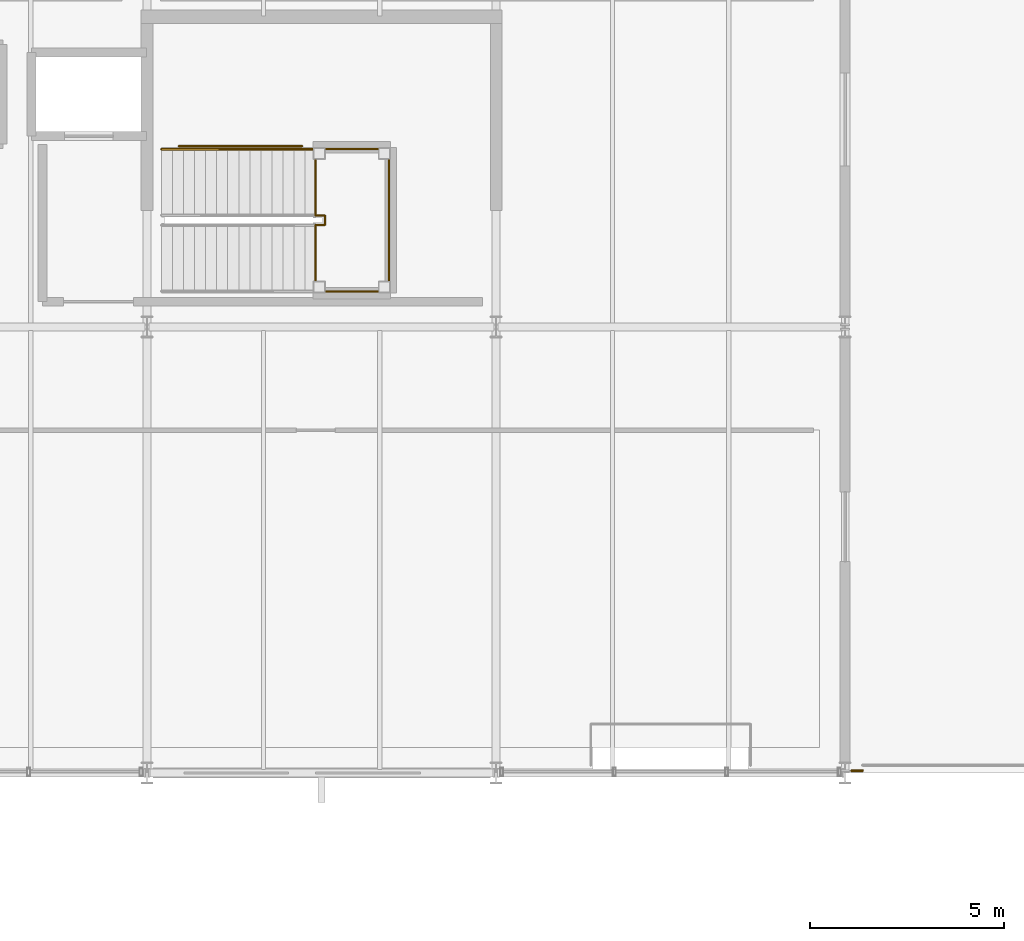
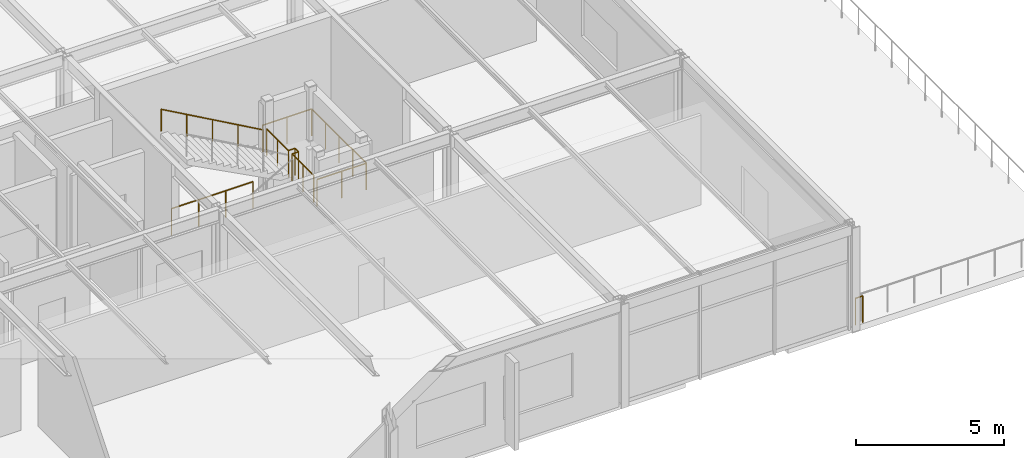
# One storey, part 42 of 44: 5 railings.
"""IFC4 building model written with IfcOpenShell, lengths in metres."""

from ifc_helpers import new_model, si_unit, direction, frame, origin, origin_2d, place, context, subcontext, project, spatial, circle, extrude, material, type_object, element, save


model = new_model("IFC4")

# Units and contexts
model_context = context("Model", 3, precision=1e-05, world=origin(), true_north=direction((0.0, 1.0)))
body_context = subcontext(model_context, "Body", "Model", "MODEL_VIEW")
ifc_project = project(units=[si_unit("LENGTHUNIT", "METRE"), si_unit("AREAUNIT", "SQUARE_METRE"), si_unit("VOLUMEUNIT", "CUBIC_METRE"), si_unit("PLANEANGLEUNIT", "RADIAN"), si_unit("MASSUNIT", "GRAM", prefix="KILO")], contexts=[model_context])

# Site, building, storey
site_placement = place(None, origin())
site = spatial("IfcSite", under=ifc_project, at=site_placement, CompositionType="ELEMENT")
building_placement = place(site_placement, origin())
building = spatial("IfcBuilding", under=site, at=building_placement, Name="Marlcrest Central Station", CompositionType="ELEMENT")
storey_placement = place(building_placement, frame((0.0, 0.0, 19.5)))
storey = spatial("IfcBuildingStorey", under=building, at=storey_placement, Name="L04", CompositionType="ELEMENT", Elevation=19.5)

# Railings
ifc_material_1 = material(Name="Galvanized painted steel balustrade", Category="steel")
railing_type_1 = type_object("IfcRailingType", Name="GR-01", PredefinedType="GUARDRAIL", material=ifc_material_1)
railing_1_placement = place(storey_placement, frame((63.449951171875, 99.06005859375, 0.0)))
element("IfcRailing", 1, at=railing_1_placement, inside=storey, type_object=railing_type_1, Name="hr-L04-00328", PredefinedType="GUARDRAIL", context=body_context, shape_type="SweptSolid", body=[
    extrude(circle(Radius=0.02392578125, at=origin_2d()), frame((0.0, 0.0, 1.09619140625), z_axis=(-1.0, 0.0, 0.0), x_axis=(0.0, -1.0, 0.0)), (0.0, 0.0, 1.0), 0.286865234375),
    extrude(circle(Radius=0.02099609375, at=origin_2d()), origin(), (0.0, 0.0, 1.0), 1.072021484375),
    extrude(circle(Radius=0.02099609375, at=origin_2d()), frame((-0.286865234375, 0.0, 0.0)), (0.0, 0.0, 1.0), 1.072021484375),
])
ifc_material_2 = material(Name="Stainless steel and laminated glass concourse balustrade", Category="steel")
railing_type_2 = type_object("IfcRailingType", Name="GR-02", PredefinedType="BALUSTRADE", material=ifc_material_2)
railing_2_placement = place(storey_placement, frame((49.320068359375, 111.409912109375, 2.25)))
element("IfcRailing", 2, at=railing_2_placement, inside=storey, type_object=railing_type_2, Name="hr-L04-00285", PredefinedType="BALUSTRADE", context=body_context, shape_type="SweptSolid", body=[
    extrude(circle(Radius=0.02392578125, at=origin_2d()), frame((0.0, 0.0, 1.09619140625), z_axis=(1.0, 0.0, 0.0), x_axis=(0.0, 1.0, 0.0)), (0.0, 0.0, 1.0), 1.919921875),
    extrude(circle(Radius=0.02392578125, at=origin_2d()), frame((1.919921875, 0.0, 1.09619140625), z_axis=(0.0, 1.0, 0.0), x_axis=(-1.0, 0.0, 0.0)), (0.0, 0.0, 1.0), 3.68017578125),
    extrude(circle(Radius=0.02392578125, at=origin_2d()), frame((1.919921875, 3.68017578125, 1.09619140625), z_axis=(-1.0, 0.0, 0.0), x_axis=(0.0, -1.0, 0.0)), (0.0, 0.0, 1.0), 1.919921875),
    extrude(circle(Radius=0.02099609375, at=origin_2d()), origin(), (0.0, 0.0, 1.0), 1.072021484375),
    extrude(circle(Radius=0.02099609375, at=origin_2d()), frame((0.9599609375, 0.0, 0.0)), (0.0, 0.0, 1.0), 1.072021484375),
    extrude(circle(Radius=0.02099609375, at=origin_2d()), frame((1.919921875, 0.0, 0.0)), (0.0, 0.0, 1.0), 1.072021484375),
    extrude(circle(Radius=0.02099609375, at=origin_2d()), frame((1.919921875, 0.919921875, 0.0)), (0.0, 0.0, 1.0), 1.072021484375),
    extrude(circle(Radius=0.02099609375, at=origin_2d()), frame((1.919921875, 1.840087890625, 0.0)), (0.0, 0.0, 1.0), 1.072021484375),
    extrude(circle(Radius=0.02099609375, at=origin_2d()), frame((1.919921875, 2.76025390625, 0.0)), (0.0, 0.0, 1.0), 1.072021484375),
    extrude(circle(Radius=0.02099609375, at=origin_2d()), frame((1.919921875, 3.68017578125, 0.0)), (0.0, 0.0, 1.0), 1.072021484375),
    extrude(circle(Radius=0.02099609375, at=origin_2d()), frame((0.9599609375, 3.68017578125, 0.0)), (0.0, 0.0, 1.0), 1.072021484375),
    extrude(circle(Radius=0.02099609375, at=origin_2d()), frame((0.0, 3.68017578125, 0.0)), (0.0, 0.0, 1.0), 1.072021484375),
])
railing_3_placement = place(storey_placement, frame((48.991943359375, 115.159912109375, 0.0)))
element("IfcRailing", 3, at=railing_3_placement, inside=storey, type_object=railing_type_2, Name="hr-L04-00324", PredefinedType="BALUSTRADE", context=body_context, shape_type="SweptSolid", body=[
    extrude(circle(Radius=0.02392578125, at=origin_2d()), frame((0.0, 0.0, 1.09619140625), z_axis=(-1.0, 0.0, 0.0), x_axis=(0.0, -1.0, 0.0)), (0.0, 0.0, 1.0), 3.171875),
    extrude(circle(Radius=0.02099609375, at=origin_2d()), origin(), (0.0, 0.0, 1.0), 1.072021484375),
    extrude(circle(Radius=0.02099609375, at=origin_2d()), frame((-1.057373046875, 0.0, 0.0)), (0.0, 0.0, 1.0), 1.072021484375),
    extrude(circle(Radius=0.02099609375, at=origin_2d()), frame((-2.114501953125, 0.0, 0.0)), (0.0, 0.0, 1.0), 1.072021484375),
    extrude(circle(Radius=0.02099609375, at=origin_2d()), frame((-3.171875, 0.0, 0.0)), (0.0, 0.0, 1.0), 1.072021484375),
])
railing_4_placement = place(storey_placement, frame((49.340087890625, 111.659912109375, 2.25)))
element("IfcRailing", 4, at=railing_4_placement, inside=storey, type_object=railing_type_2, Name="hr-L04-00609", PredefinedType="BALUSTRADE", context=body_context, shape_type="SweptSolid", body=[
    extrude(circle(Radius=0.02392578125, at=origin_2d()), frame((0.0, 0.0, 1.09619140625), z_axis=(0.0, 1.0, 0.0), x_axis=(-1.0, 0.0, 0.0)), (0.0, 0.0, 1.0), 1.469970703125),
    extrude(circle(Radius=0.02392578125, at=origin_2d()), frame((0.0, 1.469970703125, 1.09619140625), z_axis=(1.0, 0.0, 0.0), x_axis=(0.0, 1.0, 0.0)), (0.0, 0.0, 1.0), 0.25),
    extrude(circle(Radius=0.02392578125, at=origin_2d()), frame((0.25, 1.469970703125, 1.09619140625), z_axis=(0.0, 1.0, 0.0), x_axis=(-1.0, 0.0, 0.0)), (0.0, 0.0, 1.0), 0.240234375),
    extrude(circle(Radius=0.02392578125, at=origin_2d()), frame((0.25, 1.710205078125, 1.09619140625), z_axis=(-1.0, 0.0, 0.0), x_axis=(0.0, -1.0, 0.0)), (0.0, 0.0, 1.0), 0.25),
    extrude(circle(Radius=0.02392578125, at=origin_2d()), frame((0.0, 1.710205078125, 1.09619140625), z_axis=(0.0, 1.0, 0.0), x_axis=(-1.0, 0.0, 0.0)), (0.0, 0.0, 1.0), 1.469970703125),
    extrude(circle(Radius=0.02099609375, at=origin_2d()), origin(), (0.0, 0.0, 1.0), 1.072021484375),
    extrude(circle(Radius=0.02099609375, at=origin_2d()), frame((0.0, 0.73486328125, 0.0)), (0.0, 0.0, 1.0), 1.072021484375),
    extrude(circle(Radius=0.02099609375, at=origin_2d()), frame((0.0, 1.469970703125, 0.0)), (0.0, 0.0, 1.0), 1.072021484375),
    extrude(circle(Radius=0.02099609375, at=origin_2d()), frame((0.25, 1.469970703125, 0.0)), (0.0, 0.0, 1.0), 1.072021484375),
    extrude(circle(Radius=0.02099609375, at=origin_2d()), frame((0.25, 1.710205078125, 0.0)), (0.0, 0.0, 1.0), 1.072021484375),
    extrude(circle(Radius=0.02099609375, at=origin_2d()), frame((0.0, 1.710205078125, 0.0)), (0.0, 0.0, 1.0), 1.072021484375),
    extrude(circle(Radius=0.02099609375, at=origin_2d()), frame((0.0, 2.4453125, 0.0)), (0.0, 0.0, 1.0), 1.072021484375),
    extrude(circle(Radius=0.02099609375, at=origin_2d()), frame((0.0, 3.18017578125, 0.0)), (0.0, 0.0, 1.0), 1.072021484375),
])
ifc_material_3 = material(Name="Brushed stainless steel handrail", Category="steel")
railing_type_3 = type_object("IfcRailingType", Name="HR-01", PredefinedType="HANDRAIL", material=ifc_material_3)
railing_5_placement = place(storey_placement, frame((49.360107421875, 115.080078125, 2.25)))
element("IfcRailing", 5, at=railing_5_placement, inside=storey, type_object=railing_type_3, Name="hr-L04-00284", PredefinedType="HANDRAIL", context=body_context, shape_type="SweptSolid", body=[
    extrude(circle(Radius=0.02392578125, at=origin_2d()), frame((0.0, 0.0, 0.89599609375), z_axis=(-0.871049806155, 0.0, 0.491194701923), x_axis=(0.0, -1.0, 0.0)), (0.0, 0.0, 1.0), 4.58056640625),
    extrude(circle(Radius=0.02099609375, at=origin_2d()), origin(), (0.0, 0.0, 1.0), 0.871826171875),
    extrude(circle(Radius=0.02099609375, at=origin_2d()), frame((-0.99755859375, 0.0, 0.5625)), (0.0, 0.0, 1.0), 0.871826171875),
    extrude(circle(Radius=0.02099609375, at=origin_2d()), frame((-1.9951171875, 0.0, 1.125)), (0.0, 0.0, 1.0), 0.871826171875),
    extrude(circle(Radius=0.02099609375, at=origin_2d()), frame((-2.992431640625, 0.0, 1.6875)), (0.0, 0.0, 1.0), 0.871826171875),
    extrude(circle(Radius=0.02099609375, at=origin_2d()), frame((-3.989990234375, 0.0, 2.25)), (0.0, 0.0, 1.0), 0.871826171875),
])

save(model, "model.ifc")
